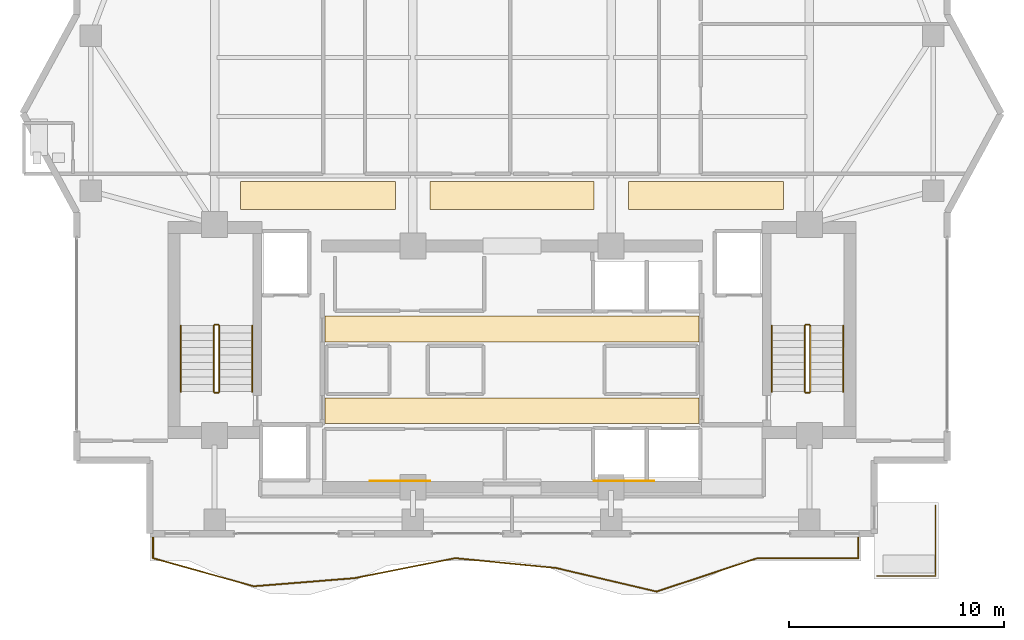
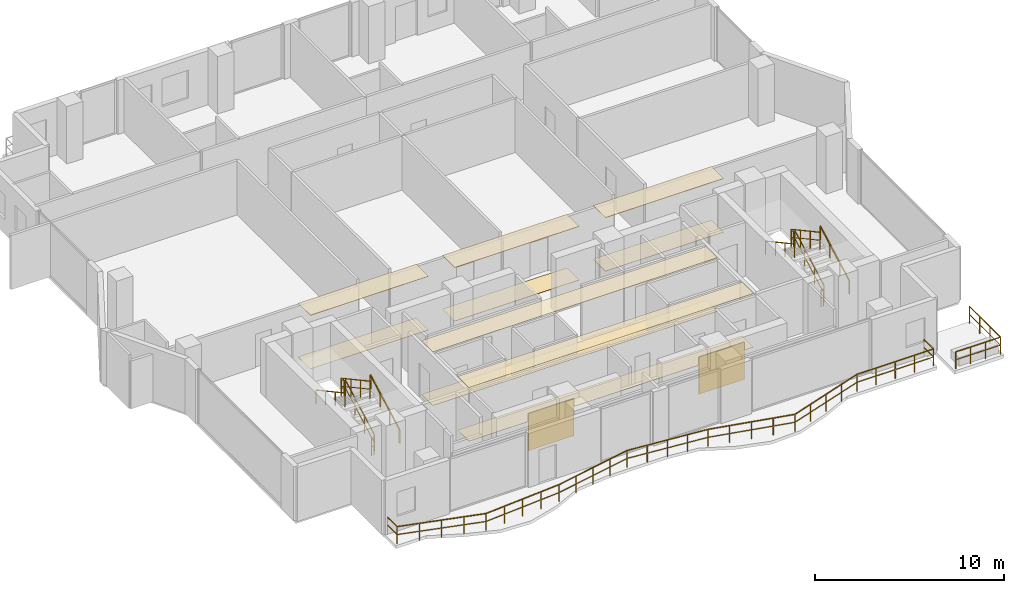
# One storey, part 23 of 25: 14 railings, 12 coverings.
"""IFC4 building model written with IfcOpenShell, lengths in metres."""

from ifc_helpers import new_model, si_unit, direction, frame, origin, origin_2d, place, context, subcontext, project, spatial, polyline, rectangle, outline, extrude, material, layer, layer_set, type_object, element, save


model = new_model("IFC4")

# Units and contexts
model_context = context("Model", 3, precision=1e-05, world=origin(), true_north=direction((0.0, 1.0)))
body_context = subcontext(model_context, "Body", "Model", "MODEL_VIEW")
ifc_project = project(units=[si_unit("LENGTHUNIT", "METRE"), si_unit("AREAUNIT", "SQUARE_METRE"), si_unit("VOLUMEUNIT", "CUBIC_METRE"), si_unit("PLANEANGLEUNIT", "RADIAN"), si_unit("MASSUNIT", "GRAM", prefix="KILO")], contexts=[model_context])

# Site, building, storey
site_placement = place(None, origin())
site = spatial("IfcSite", under=ifc_project, at=site_placement, CompositionType="ELEMENT")
building_placement = place(site_placement, origin())
building = spatial("IfcBuilding", under=site, at=building_placement, Name="Zuhayl Quay Hotel", CompositionType="ELEMENT")
storey_placement = place(building_placement, frame((0.0, 0.0, 258.14990234375)))
storey = spatial("IfcBuildingStorey", under=building, at=storey_placement, Name="L65", CompositionType="ELEMENT", Elevation=258.14990234375)

# Coverings
ifc_material_1 = material(Name="Acoustic Mineral-Fibre Gypsum Board")
ifc_layer_1 = layer(ifc_material_1, 0.02490234375, Name="Acoustic Mineral-Fibre Gypsum Board")
ifc_layer_set_1 = layer_set([ifc_layer_1], Name="Acoustic Mineral-Fibre Gypsum Board")
covering_type_1 = type_object("IfcCoveringType", Name="CV_CEIL_ACOUSTIC", PredefinedType="CEILING", material=ifc_layer_set_1)
covering_1_placement = place(storey_placement, frame((0.0, 0.0, 3.455078125)))
element("IfcCovering", 1, at=covering_1_placement, inside=storey, type_object=covering_type_1, Name="L65 Suspended Acoustic Lobby Ceiling S", PredefinedType="CEILING", context=body_context, shape_type="SweptSolid", body=[
    extrude(outline(polyline([(-8.679931640625, 5.10009765625), (8.679931640625, 5.10009765625), (8.679931640625, 6.300048828125), (-8.679931640625, 6.300048828125), (-8.679931640625, 5.10009765625)])), origin(), (0.0, 0.0, 1.0), 0.02490234375),
])
covering_2_placement = place(storey_placement, frame((0.0, 0.0, 3.455078125)))
element("IfcCovering", 2, at=covering_2_placement, inside=storey, type_object=covering_type_1, Name="L65 Suspended Acoustic Lobby Ceiling N", PredefinedType="CEILING", context=body_context, shape_type="SweptSolid", body=[
    extrude(outline(polyline([(-8.679931640625, 8.89990234375), (8.679931640625, 8.89990234375), (8.679931640625, 10.10009765625), (-8.679931640625, 10.10009765625), (-8.679931640625, 8.89990234375)])), origin(), (0.0, 0.0, 1.0), 0.02490234375),
])
covering_3_placement = place(storey_placement, frame((0.0, 0.0, 3.455078125)))
element("IfcCovering", 3, at=covering_3_placement, inside=storey, type_object=covering_type_1, Name="L65 Guest Corridor Acoustic Ceiling CW", PredefinedType="CEILING", context=body_context, shape_type="SweptSolid", body=[
    extrude(outline(polyline([(-12.60009765625, 15.050048828125), (-5.39990234375, 15.050048828125), (-5.39990234375, 16.35009765625), (-12.60009765625, 16.35009765625), (-12.60009765625, 15.050048828125)])), origin(), (0.0, 0.0, 1.0), 0.02490234375),
])
covering_4_placement = place(storey_placement, frame((0.0, 0.0, 3.455078125)))
element("IfcCovering", 4, at=covering_4_placement, inside=storey, type_object=covering_type_1, Name="L65 Guest Corridor Acoustic Ceiling CC", PredefinedType="CEILING", context=body_context, shape_type="SweptSolid", body=[
    extrude(outline(polyline([(-3.800048828125, 15.050048828125), (3.800048828125, 15.050048828125), (3.800048828125, 16.35009765625), (-3.800048828125, 16.35009765625), (-3.800048828125, 15.050048828125)])), origin(), (0.0, 0.0, 1.0), 0.02490234375),
])
covering_5_placement = place(storey_placement, frame((0.0, 0.0, 3.455078125)))
element("IfcCovering", 5, at=covering_5_placement, inside=storey, type_object=covering_type_1, Name="L65 Guest Corridor Acoustic Ceiling CE", PredefinedType="CEILING", context=body_context, shape_type="SweptSolid", body=[
    extrude(outline(polyline([(5.39990234375, 15.050048828125), (12.60009765625, 15.050048828125), (12.60009765625, 16.35009765625), (5.39990234375, 16.35009765625), (5.39990234375, 15.050048828125)])), origin(), (0.0, 0.0, 1.0), 0.02490234375),
])
ifc_material_2 = material(Name="Polished Limestone Terrazzo", Category="masonry")
ifc_layer_2 = layer(ifc_material_2, 0.02001953125, Name="Polished Limestone Terrazzo", Category="masonry")
ifc_layer_set_2 = layer_set([ifc_layer_2], Name="Polished Limestone Terrazzo")
covering_type_2 = type_object("IfcCoveringType", Name="CV_FLOOR_TERRAZZO", PredefinedType="FLOORING", material=ifc_layer_set_2)
covering_6_placement = place(storey_placement, origin())
element("IfcCovering", 6, at=covering_6_placement, inside=storey, type_object=covering_type_2, Name="L65 Honed Limestone Terrazzo Lobby Flooring S", PredefinedType="FLOORING", context=body_context, shape_type="SweptSolid", body=[
    extrude(outline(polyline([(-8.679931640625, 5.10009765625), (8.679931640625, 5.10009765625), (8.679931640625, 6.300048828125), (-8.679931640625, 6.300048828125), (-8.679931640625, 5.10009765625)])), origin(), (0.0, 0.0, 1.0), 0.02001953125),
])
covering_7_placement = place(storey_placement, origin())
element("IfcCovering", 7, at=covering_7_placement, inside=storey, type_object=covering_type_2, Name="L65 Honed Limestone Terrazzo Lobby Flooring N", PredefinedType="FLOORING", context=body_context, shape_type="SweptSolid", body=[
    extrude(outline(polyline([(-8.679931640625, 8.89990234375), (8.679931640625, 8.89990234375), (8.679931640625, 10.10009765625), (-8.679931640625, 10.10009765625), (-8.679931640625, 8.89990234375)])), origin(), (0.0, 0.0, 1.0), 0.02001953125),
])
covering_8_placement = place(storey_placement, origin())
element("IfcCovering", 8, at=covering_8_placement, inside=storey, type_object=covering_type_2, Name="L65 Guest Corridor Terrazzo Runner CW", PredefinedType="FLOORING", context=body_context, shape_type="SweptSolid", body=[
    extrude(outline(polyline([(-12.60009765625, 15.050048828125), (-5.39990234375, 15.050048828125), (-5.39990234375, 16.35009765625), (-12.60009765625, 16.35009765625), (-12.60009765625, 15.050048828125)])), origin(), (0.0, 0.0, 1.0), 0.02001953125),
])
covering_9_placement = place(storey_placement, origin())
element("IfcCovering", 9, at=covering_9_placement, inside=storey, type_object=covering_type_2, Name="L65 Guest Corridor Terrazzo Runner CC", PredefinedType="FLOORING", context=body_context, shape_type="SweptSolid", body=[
    extrude(outline(polyline([(-3.800048828125, 15.050048828125), (3.800048828125, 15.050048828125), (3.800048828125, 16.35009765625), (-3.800048828125, 16.35009765625), (-3.800048828125, 15.050048828125)])), origin(), (0.0, 0.0, 1.0), 0.02001953125),
])
covering_10_placement = place(storey_placement, origin())
element("IfcCovering", 10, at=covering_10_placement, inside=storey, type_object=covering_type_2, Name="L65 Guest Corridor Terrazzo Runner CE", PredefinedType="FLOORING", context=body_context, shape_type="SweptSolid", body=[
    extrude(outline(polyline([(5.39990234375, 15.050048828125), (12.60009765625, 15.050048828125), (12.60009765625, 16.35009765625), (5.39990234375, 16.35009765625), (5.39990234375, 15.050048828125)])), origin(), (0.0, 0.0, 1.0), 0.02001953125),
])
ifc_material_3 = material(Name="Acoustic Walnut Feature Timber", Category="wood")
ifc_layer_3 = layer(ifc_material_3, 0.02197265625, Name="Acoustic Walnut Feature Timber", Category="wood")
ifc_layer_set_3 = layer_set([ifc_layer_3], Name="Acoustic Walnut Feature Timber")
covering_type_3 = type_object("IfcCoveringType", Name="CV_WALL_CLAD", PredefinedType="CLADDING", material=ifc_layer_set_3)
for number, where, z_axis, x_axis, name in (
    (11, (-5.199951171875, 2.43603515625, 0.300048828125), (0.0, 0.0, 1.0), (1.0, 0.0, 0.0), "L65 Feature Lobby Walnut Wall Cladding W"),
    (12, (5.199951171875, 2.43603515625, 0.300048828125), (0.0, 0.0, 1.0), (1.0, 0.0, 0.0), "L65 Feature Lobby Walnut Wall Cladding E"),
):
    element("IfcCovering", number, at=place(storey_placement, frame(where, z_axis=z_axis, x_axis=x_axis)), inside=storey, type_object=covering_type_3, Name=name, PredefinedType="CLADDING", context=body_context, shape_type="SweptSolid", body=[
        extrude(rectangle(XDim=2.800048828125, YDim=0.02197265625, at=origin_2d()), origin(), (0.0, 0.0, 1.0), 2.39990234375),
    ])

# Railings
ifc_material_4 = material(Name="Anodised Aluminium and Laminated Glass", Category="aluminium")
railing_type_1 = type_object("IfcRailingType", Name="RL_EXT_BAL_1100", PredefinedType="BALUSTRADE", material=ifc_material_4)
railing_1_placement = place(storey_placement, frame((-16.659912109375, -0.1201171875, 0.0)))
element("IfcRailing", 13, at=railing_1_placement, inside=storey, type_object=railing_type_1, Name="L65 Balcony and Terrace Guard GR_L65_BAL_S", PredefinedType="BALUSTRADE", context=body_context, shape_type="SweptSolid", body=[
    extrude(rectangle(XDim=0.048095703125, YDim=0.048095703125, at=origin_2d()), frame((0.0, 0.0, 1.09619140625), z_axis=(0.0, -1.0, 0.0), x_axis=(1.0, 0.0, 0.0)), (0.0, 0.0, 1.0), 1.019775390625),
    extrude(rectangle(XDim=0.0361328125, YDim=0.0361328125, at=origin_2d()), frame((0.0, 0.0, 0.58251953125), z_axis=(0.0, -1.0, 0.0), x_axis=(1.0, 0.0, 0.0)), (0.0, 0.0, 1.0), 1.019775390625),
    extrude(rectangle(XDim=0.048095703125, YDim=0.048095703125, at=origin_2d()), frame((0.0, -1.019775390625, 1.09619140625), z_axis=(0.963236276188, -0.268655683424, 0.0), x_axis=(0.268655683424, 0.963236276188, 0.0)), (0.0, 0.0, 1.0), 4.852783203125),
    extrude(rectangle(XDim=0.0361328125, YDim=0.0361328125, at=origin_2d()), frame((0.0, -1.019775390625, 0.58251953125), z_axis=(0.963236276188, -0.268655683424, 0.0), x_axis=(0.268655683424, 0.963236276188, 0.0)), (0.0, 0.0, 1.0), 4.852783203125),
    extrude(rectangle(XDim=0.048095703125, YDim=0.048095703125, at=origin_2d()), frame((4.67431640625, -2.323486328125, 1.09619140625), z_axis=(0.996784912805, 0.080123889105, 0.0), x_axis=(-0.080123889105, 0.996784912805, 0.0)), (0.0, 0.0, 1.0), 4.689453125),
    extrude(rectangle(XDim=0.0361328125, YDim=0.0361328125, at=origin_2d()), frame((4.67431640625, -2.323486328125, 0.58251953125), z_axis=(0.996784912805, 0.080123889105, 0.0), x_axis=(-0.080123889105, 0.996784912805, 0.0)), (0.0, 0.0, 1.0), 4.689453125),
    extrude(rectangle(XDim=0.048095703125, YDim=0.048095703125, at=origin_2d()), frame((9.3486328125, -1.94775390625, 1.09619140625), z_axis=(0.980855575489, 0.194736591404, 0.0), x_axis=(-0.194736591404, 0.980855575489, 0.0)), (0.0, 0.0, 1.0), 4.765380859375),
    extrude(rectangle(XDim=0.0361328125, YDim=0.0361328125, at=origin_2d()), frame((9.3486328125, -1.94775390625, 0.58251953125), z_axis=(0.980855575489, 0.194736591404, 0.0), x_axis=(-0.194736591404, 0.980855575489, 0.0)), (0.0, 0.0, 1.0), 4.765380859375),
    extrude(rectangle(XDim=0.048095703125, YDim=0.048095703125, at=origin_2d()), frame((14.022705078125, -1.019775390625, 1.09619140625), z_axis=(0.99532425302, -0.096590016824, 0.0), x_axis=(0.096590016824, 0.99532425302, 0.0)), (0.0, 0.0, 1.0), 4.6962890625),
    extrude(rectangle(XDim=0.0361328125, YDim=0.0361328125, at=origin_2d()), frame((14.022705078125, -1.019775390625, 0.58251953125), z_axis=(0.99532425302, -0.096590016824, 0.0), x_axis=(0.096590016824, 0.99532425302, 0.0)), (0.0, 0.0, 1.0), 4.6962890625),
    extrude(rectangle(XDim=0.048095703125, YDim=0.048095703125, at=origin_2d()), frame((18.697021484375, -1.473388671875, 1.09619140625), z_axis=(0.973484475459, -0.228753089684, 0.0), x_axis=(0.228753089684, 0.973484475459, 0.0)), (0.0, 0.0, 1.0), 4.801513671875),
    extrude(rectangle(XDim=0.0361328125, YDim=0.0361328125, at=origin_2d()), frame((18.697021484375, -1.473388671875, 0.58251953125), z_axis=(0.973484475459, -0.228753089684, 0.0), x_axis=(0.228753089684, 0.973484475459, 0.0)), (0.0, 0.0, 1.0), 4.801513671875),
    extrude(rectangle(XDim=0.048095703125, YDim=0.048095703125, at=origin_2d()), frame((23.371337890625, -2.57177734375, 1.09619140625), z_axis=(0.949054412432, 0.315112237534, 0.0), x_axis=(-0.315112237534, 0.949054412432, 0.0)), (0.0, 0.0, 1.0), 4.92529296875),
    extrude(rectangle(XDim=0.0361328125, YDim=0.0361328125, at=origin_2d()), frame((23.371337890625, -2.57177734375, 0.58251953125), z_axis=(0.949054412432, 0.315112237534, 0.0), x_axis=(-0.315112237534, 0.949054412432, 0.0)), (0.0, 0.0, 1.0), 4.92529296875),
    extrude(rectangle(XDim=0.048095703125, YDim=0.048095703125, at=origin_2d()), frame((28.045654296875, -1.019775390625, 1.09619140625), z_axis=(1.0, 0.0, 0.0), x_axis=(0.0, 1.0, 0.0)), (0.0, 0.0, 1.0), 4.67431640625),
    extrude(rectangle(XDim=0.0361328125, YDim=0.0361328125, at=origin_2d()), frame((28.045654296875, -1.019775390625, 0.58251953125), z_axis=(1.0, 0.0, 0.0), x_axis=(0.0, 1.0, 0.0)), (0.0, 0.0, 1.0), 4.67431640625),
    extrude(rectangle(XDim=0.048095703125, YDim=0.048095703125, at=origin_2d()), frame((32.719970703125, -1.019775390625, 1.09619140625), z_axis=(0.0, 1.0, 0.0), x_axis=(-1.0, 0.0, 0.0)), (0.0, 0.0, 1.0), 1.019775390625),
    extrude(rectangle(XDim=0.0361328125, YDim=0.0361328125, at=origin_2d()), frame((32.719970703125, -1.019775390625, 0.58251953125), z_axis=(0.0, 1.0, 0.0), x_axis=(-1.0, 0.0, 0.0)), (0.0, 0.0, 1.0), 1.019775390625),
    extrude(rectangle(XDim=0.0419921875, YDim=0.0419921875, at=origin_2d()), origin(), (0.0, 0.0, 1.0), 1.072021484375),
    extrude(rectangle(XDim=0.0419921875, YDim=0.0419921875, at=origin_2d()), frame((0.0, -1.019775390625, 0.0)), (0.0, 0.0, 1.0), 1.072021484375),
    extrude(rectangle(XDim=0.0419921875, YDim=0.0419921875, at=origin_2d()), frame((1.16845703125, -1.345703125, 0.0)), (0.0, 0.0, 1.0), 1.072021484375),
    extrude(rectangle(XDim=0.0419921875, YDim=0.0419921875, at=origin_2d()), frame((2.337158203125, -1.671630859375, 0.0)), (0.0, 0.0, 1.0), 1.072021484375),
    extrude(rectangle(XDim=0.0419921875, YDim=0.0419921875, at=origin_2d()), frame((3.505859375, -1.99755859375, 0.0)), (0.0, 0.0, 1.0), 1.072021484375),
    extrude(rectangle(XDim=0.0419921875, YDim=0.0419921875, at=origin_2d()), frame((4.67431640625, -2.323486328125, 0.0)), (0.0, 0.0, 1.0), 1.072021484375),
    extrude(rectangle(XDim=0.0419921875, YDim=0.0419921875, at=origin_2d()), frame((5.8427734375, -2.2294921875, 0.0)), (0.0, 0.0, 1.0), 1.072021484375),
    extrude(rectangle(XDim=0.0419921875, YDim=0.0419921875, at=origin_2d()), frame((7.011474609375, -2.1357421875, 0.0)), (0.0, 0.0, 1.0), 1.072021484375),
    extrude(rectangle(XDim=0.0419921875, YDim=0.0419921875, at=origin_2d()), frame((8.18017578125, -2.041748046875, 0.0)), (0.0, 0.0, 1.0), 1.072021484375),
    extrude(rectangle(XDim=0.0419921875, YDim=0.0419921875, at=origin_2d()), frame((9.3486328125, -1.94775390625, 0.0)), (0.0, 0.0, 1.0), 1.072021484375),
    extrude(rectangle(XDim=0.0419921875, YDim=0.0419921875, at=origin_2d()), frame((10.51708984375, -1.7158203125, 0.0)), (0.0, 0.0, 1.0), 1.072021484375),
    extrude(rectangle(XDim=0.0419921875, YDim=0.0419921875, at=origin_2d()), frame((11.685546875, -1.48388671875, 0.0)), (0.0, 0.0, 1.0), 1.072021484375),
    extrude(rectangle(XDim=0.0419921875, YDim=0.0419921875, at=origin_2d()), frame((12.854248046875, -1.251708984375, 0.0)), (0.0, 0.0, 1.0), 1.072021484375),
    extrude(rectangle(XDim=0.0419921875, YDim=0.0419921875, at=origin_2d()), frame((14.022705078125, -1.019775390625, 0.0)), (0.0, 0.0, 1.0), 1.072021484375),
    extrude(rectangle(XDim=0.0419921875, YDim=0.0419921875, at=origin_2d()), frame((15.19140625, -1.13330078125, 0.0)), (0.0, 0.0, 1.0), 1.072021484375),
    extrude(rectangle(XDim=0.0419921875, YDim=0.0419921875, at=origin_2d()), frame((16.35986328125, -1.24658203125, 0.0)), (0.0, 0.0, 1.0), 1.072021484375),
    extrude(rectangle(XDim=0.0419921875, YDim=0.0419921875, at=origin_2d()), frame((17.5283203125, -1.35986328125, 0.0)), (0.0, 0.0, 1.0), 1.072021484375),
    extrude(rectangle(XDim=0.0419921875, YDim=0.0419921875, at=origin_2d()), frame((18.697021484375, -1.473388671875, 0.0)), (0.0, 0.0, 1.0), 1.072021484375),
    extrude(rectangle(XDim=0.0419921875, YDim=0.0419921875, at=origin_2d()), frame((19.86572265625, -1.748046875, 0.0)), (0.0, 0.0, 1.0), 1.072021484375),
    extrude(rectangle(XDim=0.0419921875, YDim=0.0419921875, at=origin_2d()), frame((21.0341796875, -2.0224609375, 0.0)), (0.0, 0.0, 1.0), 1.072021484375),
    extrude(rectangle(XDim=0.0419921875, YDim=0.0419921875, at=origin_2d()), frame((22.20263671875, -2.297119140625, 0.0)), (0.0, 0.0, 1.0), 1.072021484375),
    extrude(rectangle(XDim=0.0419921875, YDim=0.0419921875, at=origin_2d()), frame((23.371337890625, -2.57177734375, 0.0)), (0.0, 0.0, 1.0), 1.072021484375),
    extrude(rectangle(XDim=0.0419921875, YDim=0.0419921875, at=origin_2d()), frame((24.5400390625, -2.183837890625, 0.0)), (0.0, 0.0, 1.0), 1.072021484375),
    extrude(rectangle(XDim=0.0419921875, YDim=0.0419921875, at=origin_2d()), frame((25.70849609375, -1.7958984375, 0.0)), (0.0, 0.0, 1.0), 1.072021484375),
    extrude(rectangle(XDim=0.0419921875, YDim=0.0419921875, at=origin_2d()), frame((26.876953125, -1.40771484375, 0.0)), (0.0, 0.0, 1.0), 1.072021484375),
    extrude(rectangle(XDim=0.0419921875, YDim=0.0419921875, at=origin_2d()), frame((28.045654296875, -1.019775390625, 0.0)), (0.0, 0.0, 1.0), 1.072021484375),
    extrude(rectangle(XDim=0.0419921875, YDim=0.0419921875, at=origin_2d()), frame((29.21435546875, -1.019775390625, 0.0)), (0.0, 0.0, 1.0), 1.072021484375),
    extrude(rectangle(XDim=0.0419921875, YDim=0.0419921875, at=origin_2d()), frame((30.3828125, -1.019775390625, 0.0)), (0.0, 0.0, 1.0), 1.072021484375),
    extrude(rectangle(XDim=0.0419921875, YDim=0.0419921875, at=origin_2d()), frame((31.55126953125, -1.019775390625, 0.0)), (0.0, 0.0, 1.0), 1.072021484375),
    extrude(rectangle(XDim=0.0419921875, YDim=0.0419921875, at=origin_2d()), frame((32.719970703125, -1.019775390625, 0.0)), (0.0, 0.0, 1.0), 1.072021484375),
    extrude(rectangle(XDim=0.0419921875, YDim=0.0419921875, at=origin_2d()), frame((32.719970703125, 0.0, 0.0)), (0.0, 0.0, 1.0), 1.072021484375),
])
railing_2_placement = place(storey_placement, frame((16.93994140625, -1.9599609375, 0.0)))
element("IfcRailing", 14, at=railing_2_placement, inside=storey, type_object=railing_type_1, Name="L65 Balcony and Terrace Guard GR_L65_SPIRAL_SE", PredefinedType="BALUSTRADE", context=body_context, shape_type="SweptSolid", body=[
    extrude(rectangle(XDim=0.048095703125, YDim=0.048095703125, at=origin_2d()), frame((0.0, 0.0, 1.09619140625), z_axis=(1.0, 0.0, 0.0), x_axis=(0.0, 1.0, 0.0)), (0.0, 0.0, 1.0), 2.719970703125),
    extrude(rectangle(XDim=0.0361328125, YDim=0.0361328125, at=origin_2d()), frame((0.0, 0.0, 0.58251953125), z_axis=(1.0, 0.0, 0.0), x_axis=(0.0, 1.0, 0.0)), (0.0, 0.0, 1.0), 2.719970703125),
    extrude(rectangle(XDim=0.048095703125, YDim=0.048095703125, at=origin_2d()), frame((2.719970703125, 0.0, 1.09619140625), z_axis=(0.0, 1.0, 0.0), x_axis=(-1.0, 0.0, 0.0)), (0.0, 0.0, 1.0), 3.27001953125),
    extrude(rectangle(XDim=0.0361328125, YDim=0.0361328125, at=origin_2d()), frame((2.719970703125, 0.0, 0.58251953125), z_axis=(0.0, 1.0, 0.0), x_axis=(-1.0, 0.0, 0.0)), (0.0, 0.0, 1.0), 3.27001953125),
    extrude(rectangle(XDim=0.0419921875, YDim=0.0419921875, at=origin_2d()), origin(), (0.0, 0.0, 1.0), 1.072021484375),
    extrude(rectangle(XDim=0.0419921875, YDim=0.0419921875, at=origin_2d()), frame((0.90673828125, 0.0, 0.0)), (0.0, 0.0, 1.0), 1.072021484375),
    extrude(rectangle(XDim=0.0419921875, YDim=0.0419921875, at=origin_2d()), frame((1.813232421875, 0.0, 0.0)), (0.0, 0.0, 1.0), 1.072021484375),
    extrude(rectangle(XDim=0.0419921875, YDim=0.0419921875, at=origin_2d()), frame((2.719970703125, 0.0, 0.0)), (0.0, 0.0, 1.0), 1.072021484375),
    extrude(rectangle(XDim=0.0419921875, YDim=0.0419921875, at=origin_2d()), frame((2.719970703125, 1.090087890625, 0.0)), (0.0, 0.0, 1.0), 1.072021484375),
    extrude(rectangle(XDim=0.0419921875, YDim=0.0419921875, at=origin_2d()), frame((2.719970703125, 2.179931640625, 0.0)), (0.0, 0.0, 1.0), 1.072021484375),
    extrude(rectangle(XDim=0.0419921875, YDim=0.0419921875, at=origin_2d()), frame((2.719970703125, 3.27001953125, 0.0)), (0.0, 0.0, 1.0), 1.072021484375),
])
ifc_material_5 = material(Name="Steel ASTM A992 Grade 50", Category="steel")
railing_type_2 = type_object("IfcRailingType", Name="RL_GUARD_1100", PredefinedType="GUARDRAIL", material=ifc_material_5)
railing_3_placement = place(storey_placement, frame((-13.590087890625, 6.590087890625, 0.18505859375)))
element("IfcRailing", 15, at=railing_3_placement, inside=storey, type_object=railing_type_2, Name="L65 ST1 stair guard 1", PredefinedType="GUARDRAIL", context=body_context, shape_type="SweptSolid", body=[
    extrude(rectangle(XDim=0.048095703125, YDim=0.048095703125, at=origin_2d()), frame((0.0, 0.0, 1.09619140625), z_axis=(0.0, 0.878371892512, 0.477977843049), x_axis=(-1.0, 0.0, 0.0)), (0.0, 0.0, 1.0), 3.4833984375),
    extrude(rectangle(XDim=0.0361328125, YDim=0.0361328125, at=origin_2d()), frame((0.0, 0.0, 0.58251953125), z_axis=(0.0, 0.878371892512, 0.477977843049), x_axis=(-1.0, 0.0, 0.0)), (0.0, 0.0, 1.0), 3.4833984375),
    extrude(rectangle(XDim=0.0419921875, YDim=0.0419921875, at=origin_2d()), origin(), (0.0, 0.0, 1.0), 1.072021484375),
    extrude(rectangle(XDim=0.0419921875, YDim=0.0419921875, at=origin_2d()), frame((0.0, 1.02001953125, 0.554931640625)), (0.0, 0.0, 1.0), 1.072021484375),
    extrude(rectangle(XDim=0.0419921875, YDim=0.0419921875, at=origin_2d()), frame((0.0, 2.039794921875, 1.110107421875)), (0.0, 0.0, 1.0), 1.072021484375),
    extrude(rectangle(XDim=0.0419921875, YDim=0.0419921875, at=origin_2d()), frame((0.0, 3.059814453125, 1.6650390625)), (0.0, 0.0, 1.0), 1.072021484375),
])
railing_4_placement = place(storey_placement, frame((-13.639892578125, 9.699951171875, 1.85009765625)))
element("IfcRailing", 16, at=railing_4_placement, inside=storey, type_object=railing_type_2, Name="L65 ST1 stair guard 2", PredefinedType="GUARDRAIL", context=body_context, shape_type="SweptSolid", body=[
    extrude(rectangle(XDim=0.048095703125, YDim=0.048095703125, at=origin_2d()), frame((0.0, 0.0, 1.09619140625), z_axis=(-1.0, 0.0, 0.0), x_axis=(0.0, -1.0, 0.0)), (0.0, 0.0, 1.0), 0.150146484375),
    extrude(rectangle(XDim=0.0361328125, YDim=0.0361328125, at=origin_2d()), frame((0.0, 0.0, 0.58251953125), z_axis=(-1.0, 0.0, 0.0), x_axis=(0.0, -1.0, 0.0)), (0.0, 0.0, 1.0), 0.150146484375),
    extrude(rectangle(XDim=0.0419921875, YDim=0.0419921875, at=origin_2d()), origin(), (0.0, 0.0, 1.0), 1.072021484375),
    extrude(rectangle(XDim=0.0419921875, YDim=0.0419921875, at=origin_2d()), frame((-0.150146484375, 0.0, 0.0)), (0.0, 0.0, 1.0), 1.072021484375),
])
railing_5_placement = place(storey_placement, frame((-13.840087890625, 9.64990234375, 2.03515625)))
element("IfcRailing", 17, at=railing_5_placement, inside=storey, type_object=railing_type_2, Name="L65 ST1 stair guard 3", PredefinedType="GUARDRAIL", context=body_context, shape_type="SweptSolid", body=[
    extrude(rectangle(XDim=0.048095703125, YDim=0.048095703125, at=origin_2d()), frame((0.0, 0.0, 1.09619140625), z_axis=(0.0, -0.878371892512, 0.477977843049), x_axis=(1.0, 0.0, 0.0)), (0.0, 0.0, 1.0), 3.4833984375),
    extrude(rectangle(XDim=0.0361328125, YDim=0.0361328125, at=origin_2d()), frame((0.0, 0.0, 0.58251953125), z_axis=(0.0, -0.878371892512, 0.477977843049), x_axis=(1.0, 0.0, 0.0)), (0.0, 0.0, 1.0), 3.4833984375),
    extrude(rectangle(XDim=0.0419921875, YDim=0.0419921875, at=origin_2d()), origin(), (0.0, 0.0, 1.0), 1.072021484375),
    extrude(rectangle(XDim=0.0419921875, YDim=0.0419921875, at=origin_2d()), frame((0.0, -1.02001953125, 0.554931640625)), (0.0, 0.0, 1.0), 1.072021484375),
    extrude(rectangle(XDim=0.0419921875, YDim=0.0419921875, at=origin_2d()), frame((0.0, -2.039794921875, 1.110107421875)), (0.0, 0.0, 1.0), 1.072021484375),
    extrude(rectangle(XDim=0.0419921875, YDim=0.0419921875, at=origin_2d()), frame((0.0, -3.059814453125, 1.6650390625)), (0.0, 0.0, 1.0), 1.072021484375),
])
railing_6_placement = place(storey_placement, frame((-13.639892578125, 6.5400390625, 0.0)))
element("IfcRailing", 18, at=railing_6_placement, inside=storey, type_object=railing_type_2, Name="L65 ST1 stair guard 4", PredefinedType="GUARDRAIL", context=body_context, shape_type="SweptSolid", body=[
    extrude(rectangle(XDim=0.048095703125, YDim=0.048095703125, at=origin_2d()), frame((0.0, 0.0, 1.09619140625), z_axis=(-1.0, 0.0, 0.0), x_axis=(0.0, -1.0, 0.0)), (0.0, 0.0, 1.0), 0.150146484375),
    extrude(rectangle(XDim=0.0361328125, YDim=0.0361328125, at=origin_2d()), frame((0.0, 0.0, 0.58251953125), z_axis=(-1.0, 0.0, 0.0), x_axis=(0.0, -1.0, 0.0)), (0.0, 0.0, 1.0), 0.150146484375),
    extrude(rectangle(XDim=0.0419921875, YDim=0.0419921875, at=origin_2d()), origin(), (0.0, 0.0, 1.0), 1.072021484375),
    extrude(rectangle(XDim=0.0419921875, YDim=0.0419921875, at=origin_2d()), frame((-0.150146484375, 0.0, 0.0)), (0.0, 0.0, 1.0), 1.072021484375),
])
railing_7_placement = place(storey_placement, frame((13.840087890625, 6.590087890625, 0.18505859375)))
element("IfcRailing", 19, at=railing_7_placement, inside=storey, type_object=railing_type_2, Name="L65 ST2 stair guard 1", PredefinedType="GUARDRAIL", context=body_context, shape_type="SweptSolid", body=[
    extrude(rectangle(XDim=0.048095703125, YDim=0.048095703125, at=origin_2d()), frame((0.0, 0.0, 1.09619140625), z_axis=(0.0, 0.878371892512, 0.477977843049), x_axis=(-1.0, 0.0, 0.0)), (0.0, 0.0, 1.0), 3.4833984375),
    extrude(rectangle(XDim=0.0361328125, YDim=0.0361328125, at=origin_2d()), frame((0.0, 0.0, 0.58251953125), z_axis=(0.0, 0.878371892512, 0.477977843049), x_axis=(-1.0, 0.0, 0.0)), (0.0, 0.0, 1.0), 3.4833984375),
    extrude(rectangle(XDim=0.0419921875, YDim=0.0419921875, at=origin_2d()), origin(), (0.0, 0.0, 1.0), 1.072021484375),
    extrude(rectangle(XDim=0.0419921875, YDim=0.0419921875, at=origin_2d()), frame((0.0, 1.02001953125, 0.554931640625)), (0.0, 0.0, 1.0), 1.072021484375),
    extrude(rectangle(XDim=0.0419921875, YDim=0.0419921875, at=origin_2d()), frame((0.0, 2.039794921875, 1.110107421875)), (0.0, 0.0, 1.0), 1.072021484375),
    extrude(rectangle(XDim=0.0419921875, YDim=0.0419921875, at=origin_2d()), frame((0.0, 3.059814453125, 1.6650390625)), (0.0, 0.0, 1.0), 1.072021484375),
])
railing_8_placement = place(storey_placement, frame((13.7900390625, 9.699951171875, 1.85009765625)))
element("IfcRailing", 20, at=railing_8_placement, inside=storey, type_object=railing_type_2, Name="L65 ST2 stair guard 2", PredefinedType="GUARDRAIL", context=body_context, shape_type="SweptSolid", body=[
    extrude(rectangle(XDim=0.048095703125, YDim=0.048095703125, at=origin_2d()), frame((0.0, 0.0, 1.09619140625), z_axis=(-1.0, 0.0, 0.0), x_axis=(0.0, -1.0, 0.0)), (0.0, 0.0, 1.0), 0.150146484375),
    extrude(rectangle(XDim=0.0361328125, YDim=0.0361328125, at=origin_2d()), frame((0.0, 0.0, 0.58251953125), z_axis=(-1.0, 0.0, 0.0), x_axis=(0.0, -1.0, 0.0)), (0.0, 0.0, 1.0), 0.150146484375),
    extrude(rectangle(XDim=0.0419921875, YDim=0.0419921875, at=origin_2d()), origin(), (0.0, 0.0, 1.0), 1.072021484375),
    extrude(rectangle(XDim=0.0419921875, YDim=0.0419921875, at=origin_2d()), frame((-0.150146484375, 0.0, 0.0)), (0.0, 0.0, 1.0), 1.072021484375),
])
railing_9_placement = place(storey_placement, frame((13.590087890625, 9.64990234375, 2.03515625)))
element("IfcRailing", 21, at=railing_9_placement, inside=storey, type_object=railing_type_2, Name="L65 ST2 stair guard 3", PredefinedType="GUARDRAIL", context=body_context, shape_type="SweptSolid", body=[
    extrude(rectangle(XDim=0.048095703125, YDim=0.048095703125, at=origin_2d()), frame((0.0, 0.0, 1.09619140625), z_axis=(0.0, -0.878371892512, 0.477977843049), x_axis=(1.0, 0.0, 0.0)), (0.0, 0.0, 1.0), 3.4833984375),
    extrude(rectangle(XDim=0.0361328125, YDim=0.0361328125, at=origin_2d()), frame((0.0, 0.0, 0.58251953125), z_axis=(0.0, -0.878371892512, 0.477977843049), x_axis=(1.0, 0.0, 0.0)), (0.0, 0.0, 1.0), 3.4833984375),
    extrude(rectangle(XDim=0.0419921875, YDim=0.0419921875, at=origin_2d()), origin(), (0.0, 0.0, 1.0), 1.072021484375),
    extrude(rectangle(XDim=0.0419921875, YDim=0.0419921875, at=origin_2d()), frame((0.0, -1.02001953125, 0.554931640625)), (0.0, 0.0, 1.0), 1.072021484375),
    extrude(rectangle(XDim=0.0419921875, YDim=0.0419921875, at=origin_2d()), frame((0.0, -2.039794921875, 1.110107421875)), (0.0, 0.0, 1.0), 1.072021484375),
    extrude(rectangle(XDim=0.0419921875, YDim=0.0419921875, at=origin_2d()), frame((0.0, -3.059814453125, 1.6650390625)), (0.0, 0.0, 1.0), 1.072021484375),
])
railing_10_placement = place(storey_placement, frame((13.7900390625, 6.5400390625, 0.0)))
element("IfcRailing", 22, at=railing_10_placement, inside=storey, type_object=railing_type_2, Name="L65 ST2 stair guard 4", PredefinedType="GUARDRAIL", context=body_context, shape_type="SweptSolid", body=[
    extrude(rectangle(XDim=0.048095703125, YDim=0.048095703125, at=origin_2d()), frame((0.0, 0.0, 1.09619140625), z_axis=(-1.0, 0.0, 0.0), x_axis=(0.0, -1.0, 0.0)), (0.0, 0.0, 1.0), 0.150146484375),
    extrude(rectangle(XDim=0.0361328125, YDim=0.0361328125, at=origin_2d()), frame((0.0, 0.0, 0.58251953125), z_axis=(-1.0, 0.0, 0.0), x_axis=(0.0, -1.0, 0.0)), (0.0, 0.0, 1.0), 0.150146484375),
    extrude(rectangle(XDim=0.0419921875, YDim=0.0419921875, at=origin_2d()), origin(), (0.0, 0.0, 1.0), 1.072021484375),
    extrude(rectangle(XDim=0.0419921875, YDim=0.0419921875, at=origin_2d()), frame((-0.150146484375, 0.0, 0.0)), (0.0, 0.0, 1.0), 1.072021484375),
])
railing_type_3 = type_object("IfcRailingType", Name="RL_HANDRAIL_920", PredefinedType="HANDRAIL", material=ifc_material_5)
railing_11_placement = place(storey_placement, frame((-12.050048828125, 6.590087890625, 0.18505859375)))
element("IfcRailing", 23, at=railing_11_placement, inside=storey, type_object=railing_type_3, Name="L65 ST1 stair handrail 1", PredefinedType="HANDRAIL", context=body_context, shape_type="SweptSolid", body=[
    extrude(rectangle(XDim=0.048095703125, YDim=0.048095703125, at=origin_2d()), frame((0.0, 0.0, 0.8759765625), z_axis=(0.0, 0.878371892512, 0.477977843049), x_axis=(-1.0, 0.0, 0.0)), (0.0, 0.0, 1.0), 3.4833984375),
    extrude(rectangle(XDim=0.0419921875, YDim=0.0419921875, at=origin_2d()), origin(), (0.0, 0.0, 1.0), 0.851806640625),
    extrude(rectangle(XDim=0.0419921875, YDim=0.0419921875, at=origin_2d()), frame((0.0, 1.02001953125, 0.554931640625)), (0.0, 0.0, 1.0), 0.851806640625),
    extrude(rectangle(XDim=0.0419921875, YDim=0.0419921875, at=origin_2d()), frame((0.0, 2.039794921875, 1.110107421875)), (0.0, 0.0, 1.0), 0.851806640625),
    extrude(rectangle(XDim=0.0419921875, YDim=0.0419921875, at=origin_2d()), frame((0.0, 3.059814453125, 1.6650390625)), (0.0, 0.0, 1.0), 0.851806640625),
])
railing_12_placement = place(storey_placement, frame((-15.3798828125, 9.64990234375, 2.03515625)))
element("IfcRailing", 24, at=railing_12_placement, inside=storey, type_object=railing_type_3, Name="L65 ST1 stair handrail 2", PredefinedType="HANDRAIL", context=body_context, shape_type="SweptSolid", body=[
    extrude(rectangle(XDim=0.048095703125, YDim=0.048095703125, at=origin_2d()), frame((0.0, 0.0, 0.8759765625), z_axis=(0.0, -0.878371892512, 0.477977843049), x_axis=(1.0, 0.0, 0.0)), (0.0, 0.0, 1.0), 3.4833984375),
    extrude(rectangle(XDim=0.0419921875, YDim=0.0419921875, at=origin_2d()), origin(), (0.0, 0.0, 1.0), 0.851806640625),
    extrude(rectangle(XDim=0.0419921875, YDim=0.0419921875, at=origin_2d()), frame((0.0, -1.02001953125, 0.554931640625)), (0.0, 0.0, 1.0), 0.851806640625),
    extrude(rectangle(XDim=0.0419921875, YDim=0.0419921875, at=origin_2d()), frame((0.0, -2.039794921875, 1.110107421875)), (0.0, 0.0, 1.0), 0.851806640625),
    extrude(rectangle(XDim=0.0419921875, YDim=0.0419921875, at=origin_2d()), frame((0.0, -3.059814453125, 1.6650390625)), (0.0, 0.0, 1.0), 0.851806640625),
])
railing_13_placement = place(storey_placement, frame((15.3798828125, 6.590087890625, 0.18505859375)))
element("IfcRailing", 25, at=railing_13_placement, inside=storey, type_object=railing_type_3, Name="L65 ST2 stair handrail 1", PredefinedType="HANDRAIL", context=body_context, shape_type="SweptSolid", body=[
    extrude(rectangle(XDim=0.048095703125, YDim=0.048095703125, at=origin_2d()), frame((0.0, 0.0, 0.8759765625), z_axis=(0.0, 0.878371892512, 0.477977843049), x_axis=(-1.0, 0.0, 0.0)), (0.0, 0.0, 1.0), 3.4833984375),
    extrude(rectangle(XDim=0.0419921875, YDim=0.0419921875, at=origin_2d()), origin(), (0.0, 0.0, 1.0), 0.851806640625),
    extrude(rectangle(XDim=0.0419921875, YDim=0.0419921875, at=origin_2d()), frame((0.0, 1.02001953125, 0.554931640625)), (0.0, 0.0, 1.0), 0.851806640625),
    extrude(rectangle(XDim=0.0419921875, YDim=0.0419921875, at=origin_2d()), frame((0.0, 2.039794921875, 1.110107421875)), (0.0, 0.0, 1.0), 0.851806640625),
    extrude(rectangle(XDim=0.0419921875, YDim=0.0419921875, at=origin_2d()), frame((0.0, 3.059814453125, 1.6650390625)), (0.0, 0.0, 1.0), 0.851806640625),
])
railing_14_placement = place(storey_placement, frame((12.050048828125, 9.64990234375, 2.03515625)))
element("IfcRailing", 26, at=railing_14_placement, inside=storey, type_object=railing_type_3, Name="L65 ST2 stair handrail 2", PredefinedType="HANDRAIL", context=body_context, shape_type="SweptSolid", body=[
    extrude(rectangle(XDim=0.048095703125, YDim=0.048095703125, at=origin_2d()), frame((0.0, 0.0, 0.8759765625), z_axis=(0.0, -0.878371892512, 0.477977843049), x_axis=(1.0, 0.0, 0.0)), (0.0, 0.0, 1.0), 3.4833984375),
    extrude(rectangle(XDim=0.0419921875, YDim=0.0419921875, at=origin_2d()), origin(), (0.0, 0.0, 1.0), 0.851806640625),
    extrude(rectangle(XDim=0.0419921875, YDim=0.0419921875, at=origin_2d()), frame((0.0, -1.02001953125, 0.554931640625)), (0.0, 0.0, 1.0), 0.851806640625),
    extrude(rectangle(XDim=0.0419921875, YDim=0.0419921875, at=origin_2d()), frame((0.0, -2.039794921875, 1.110107421875)), (0.0, 0.0, 1.0), 0.851806640625),
    extrude(rectangle(XDim=0.0419921875, YDim=0.0419921875, at=origin_2d()), frame((0.0, -3.059814453125, 1.6650390625)), (0.0, 0.0, 1.0), 0.851806640625),
])

save(model, "model.ifc")
